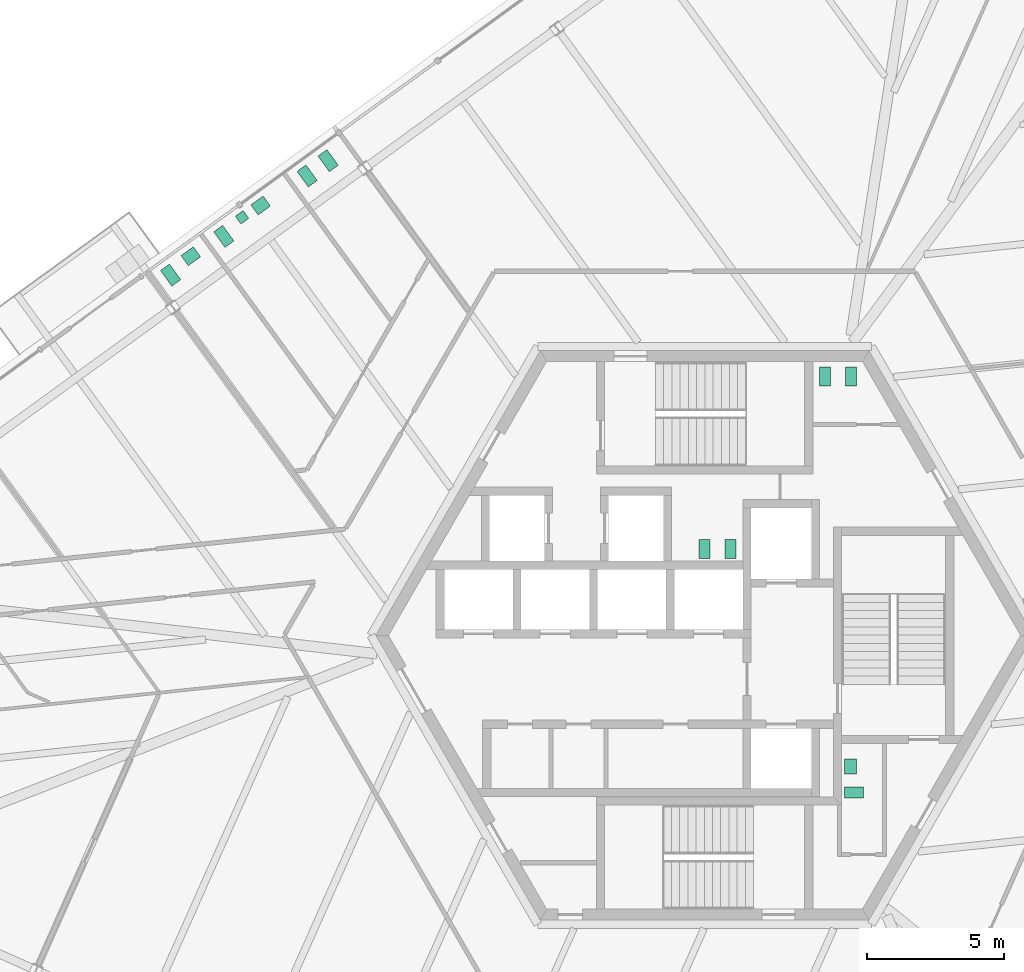
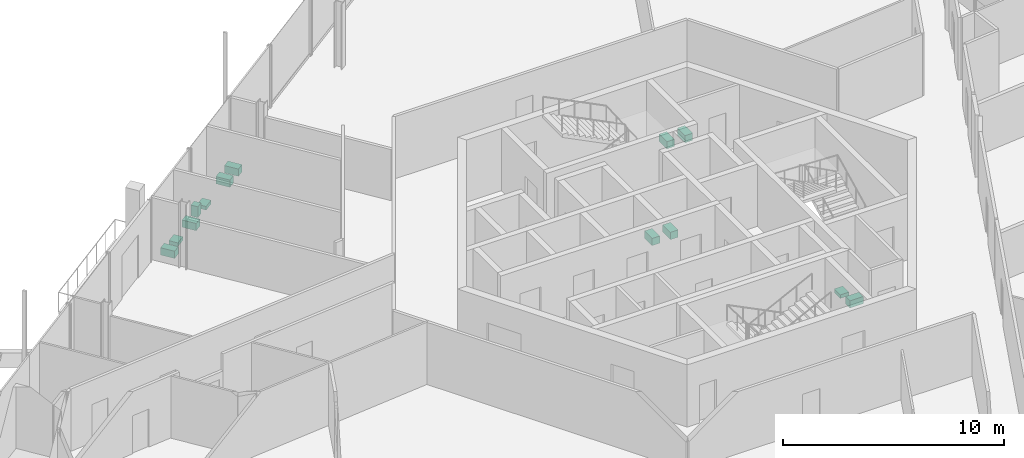
# One storey, part 19 of 21: 13 sanitary terminals.
"""IFC4 building model written with IfcOpenShell, lengths in metres."""

from ifc_helpers import new_model, si_unit, direction, frame, origin, origin_2d, place, context, subcontext, project, spatial, rectangle, extrude, source, transform, mapped, material, element, save


model = new_model("IFC4")

# Units and contexts
model_context = context("Model", 3, precision=1e-05, world=origin(), true_north=direction((0.0, 1.0)))
body_context = subcontext(model_context, "Body", "Model", "MODEL_VIEW")
ifc_project = project(units=[si_unit("LENGTHUNIT", "METRE"), si_unit("AREAUNIT", "SQUARE_METRE"), si_unit("VOLUMEUNIT", "CUBIC_METRE"), si_unit("PLANEANGLEUNIT", "RADIAN"), si_unit("MASSUNIT", "GRAM", prefix="KILO")], contexts=[model_context])

# Site, building, storey
site_placement = place(None, origin())
site = spatial("IfcSite", under=ifc_project, at=site_placement, CompositionType="ELEMENT")
building_placement = place(site_placement, origin())
building = spatial("IfcBuilding", under=site, at=building_placement, Name="Triune Harvest Tower", CompositionType="ELEMENT")
storey_placement = place(building_placement, frame((0.0, 0.0, 87.300048828125)))
storey = spatial("IfcBuildingStorey", under=building, at=storey_placement, Name="L21", CompositionType="ELEMENT", Elevation=87.300048828125)

# Sanitary terminals
ifc_material = material(Name="Vitreous china")
shared_shape_1 = source(origin(), body_context, "Body", "SweptSolid", [
    extrude(rectangle(XDim=0.39990234375, YDim=0.699951171875, at=origin_2d()), origin(), (0.0, 0.0, 1.0), 0.39990234375),
])
for number, where, z_axis, x_axis, name in (
    (1, (4.39990234375, 9.449951171875, 0.0), (0.0, 0.0, 1.0), (1.0, 0.0, 0.0), "Toilet pan L21.c01"),
    (2, (5.35009765625, 9.449951171875, 0.0), (0.0, 0.0, 1.0), (1.0, 0.0, 0.0), "Toilet pan L21.c02"),
    (3, (0.949951171875, 3.159912109375, 0.0), (0.0, 0.0, 1.0), (-1.0, 0.0, 0.0), "Toilet pan L21.c03"),
    (4, (0.0, 3.159912109375, 0.0), (0.0, 0.0, 1.0), (-1.0, 0.0, 0.0), "Toilet pan L21.c04"),
    (5, (5.449951171875, -5.739990234375, 0.0), (0.0, 0.0, 1.0), (0.0, 1.0, 0.0), "Toilet pan L21.c05"),
    (6, (-14.509521484375, 16.7724609375, 0.0), (0.0, 0.0, 1.0), (0.809006735464, 0.587799372213, 0.0), "Toilet pan 01"),
    (7, (-13.740966796875, 17.330810546875, 0.0), (0.0, 0.0, 1.0), (0.809006735464, 0.587799372213, 0.0), "Toilet pan 02"),
    (8, (-17.54931640625, 14.56396484375, 0.0), (0.0, 0.0, 1.0), (0.80902725304, 0.587771132193, 0.0), "Toilet pan 03"),
    (9, (-19.490966796875, 13.1533203125, 0.0), (0.0, 0.0, 1.0), (0.809006735464, 0.587799372213, 0.0), "Toilet pan 06"),
):
    element("IfcSanitaryTerminal", number, at=place(storey_placement, frame(where, z_axis=z_axis, x_axis=x_axis)), inside=storey, material=ifc_material, Name=name, PredefinedType="TOILETPAN", context=body_context, shape_type="MappedRepresentation", body=[
        mapped(shared_shape_1, transform((0.0, 0.0, 0.0), scale=1.0)),
    ])
shared_shape_2 = source(origin(), body_context, "Body", "SweptSolid", [
    extrude(rectangle(XDim=0.35009765625, YDim=0.35009765625, at=origin_2d()), origin(), (0.0, 0.0, 1.0), 0.60009765625),
])
sanitary_terminal_placement = place(storey_placement, frame((-16.883544921875, 15.263916015625, 0.0), z_axis=(0.0, 0.0, 1.0), x_axis=(0.80902725304, 0.587771132193, 0.0)))
element("IfcSanitaryTerminal", 10, at=sanitary_terminal_placement, inside=storey, material=ifc_material, Name="Urinal 04", PredefinedType="URINAL", context=body_context, shape_type="MappedRepresentation", body=[
    mapped(shared_shape_2, transform((0.0, 0.0, 0.0), scale=1.0)),
])
shared_shape_3 = source(origin(), body_context, "Body", "SweptSolid", [
    extrude(rectangle(XDim=0.550048828125, YDim=0.449951171875, at=origin_2d()), origin(), (0.0, 0.0, 1.0), 0.199951171875),
])
for number, where, z_axis, x_axis, name in (
    (11, (5.324951171875, -4.7900390625, 0.0), (0.0, 0.0, 1.0), (0.0, 1.0, 0.0), "Wash basin L21.c06"),
    (12, (-16.20703125, 15.693603515625, 0.0), (0.0, 0.0, 1.0), (0.80902725304, 0.587771132193, 0.0), "Wash basin 05"),
    (13, (-18.75537109375, 13.84228515625, 0.0), (0.0, 0.0, 1.0), (0.809006735464, 0.587799372213, 0.0), "Wash basin 07"),
):
    element("IfcSanitaryTerminal", number, at=place(storey_placement, frame(where, z_axis=z_axis, x_axis=x_axis)), inside=storey, material=ifc_material, Name=name, PredefinedType="WASHHANDBASIN", context=body_context, shape_type="MappedRepresentation", body=[
        mapped(shared_shape_3, transform((0.0, 0.0, 0.0), scale=1.0)),
    ])

save(model, "model.ifc")
